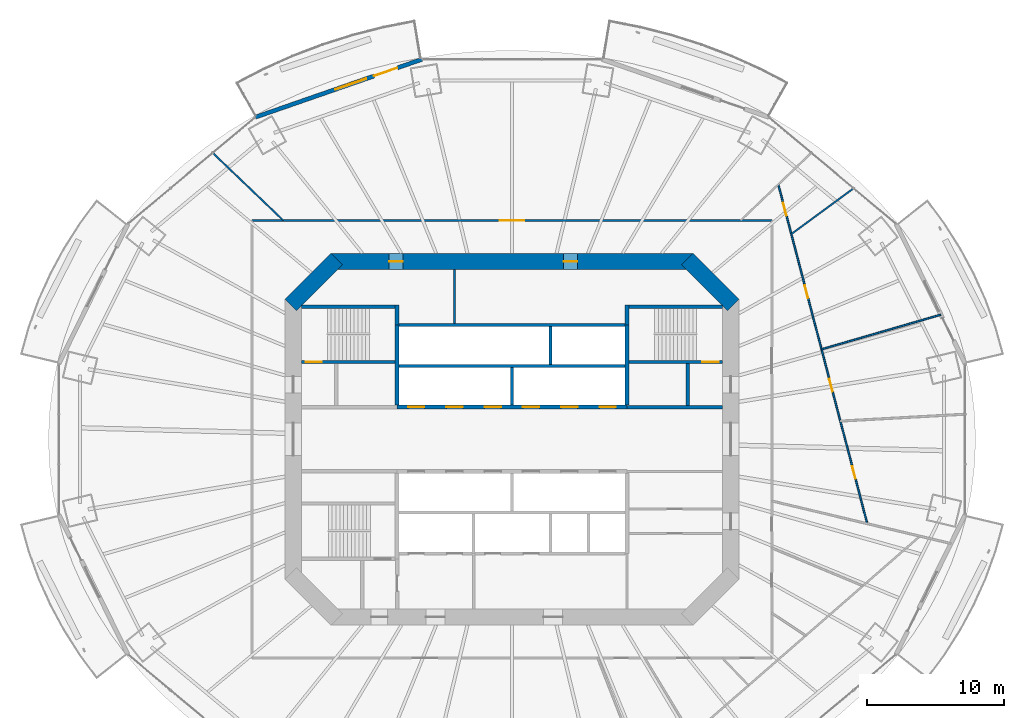
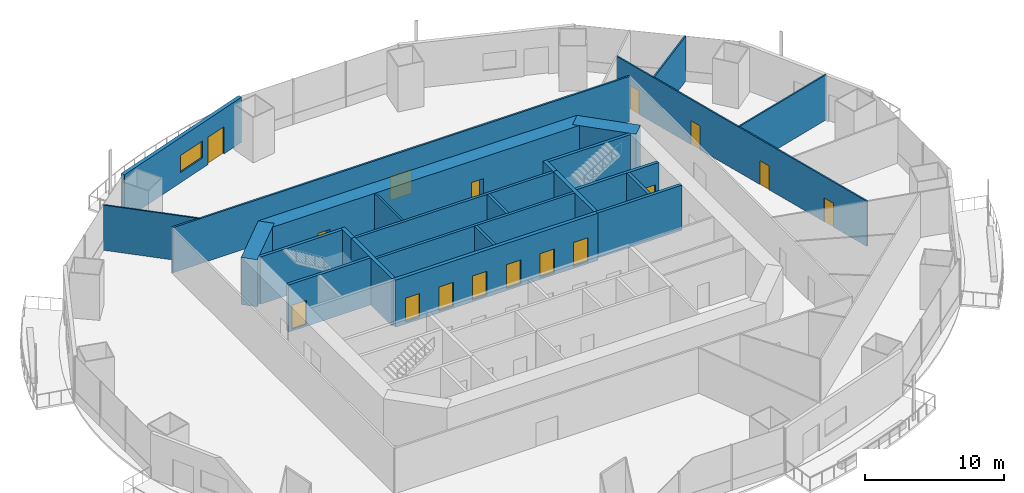
# One storey, part 15 of 21: 25 walls, 16 doors, 1 window, 17 openings.
"""IFC4 building model written with IfcOpenShell, lengths in metres."""

import ifcopenshell
import ifcopenshell.guid

model = None  # the IFC model being written
_history = None  # IfcOwnerHistory: only IFC2X3 demands one
_inside = {}  # id of a spatial element -> (the spatial element, [elements in it])
_under = {}  # id of a project, library or spatial element -> (it, [spatial elements below it])
_declared = {}  # id of a project -> (the project, [libraries it declares])
_typed = {}  # id of a type object -> (the type object, [elements of that type])
_made_of = {}  # id of a material, layer set ... -> (it, [elements and type objects made of it])


def new_model(schema):
    """Start an empty IFC model of exactly this schema.

    Asked for "IFC4X3", IfcOpenShell would pick the latest addendum, in which some entities
    have other attributes; the version numbers below select the first issue.
    IFC2X3 requires an IfcOwnerHistory on every rooted entity: one is made here for all.
    """
    global model, _history
    if schema == "IFC4X3":
        model = ifcopenshell.file(schema_version=(4, 3, 0, 0))
    else:
        model = ifcopenshell.file(schema=schema)
    _inside.clear()
    _under.clear()
    _declared.clear()
    _typed.clear()
    _made_of.clear()
    _history = None
    if model.schema == "IFC2X3":
        org = make("IfcOrganization", Name="unknown")
        user = make(
            "IfcPersonAndOrganization",
            ThePerson=make("IfcPerson", FamilyName="unknown"),
            TheOrganization=org,
        )
        app = make(
            "IfcApplication",
            ApplicationDeveloper=org,
            Version="unknown",
            ApplicationFullName="unknown",
            ApplicationIdentifier="unknown",
        )
        _history = make(
            "IfcOwnerHistory",
            OwningUser=user,
            OwningApplication=app,
            ChangeAction="ADDED",
            CreationDate=0,
        )
    return model


def make(cls, **values):
    """One entity of the class cls with the attributes given. An attribute that is None is left unset."""
    return model.create_entity(
        cls, **{name: value for name, value in values.items() if value is not None}
    )


def rooted(cls, **values):
    """An entity with a GlobalId (a new one), such as an element, a storey or a relation."""
    return make(cls, GlobalId=ifcopenshell.guid.new(), OwnerHistory=_history, **values)


def si_unit(unit_type, name, prefix=None):
    """IfcSIUnit, for example si_unit("LENGTHUNIT", "METRE", prefix="MILLI")."""
    return make("IfcSIUnit", UnitType=unit_type, Prefix=prefix, Name=name)


def assignment(units):
    """IfcUnitAssignment: the units of a project."""
    return None if units is None else make("IfcUnitAssignment", Units=units)


def point(xyz):
    """IfcCartesianPoint."""
    return None if xyz is None else make("IfcCartesianPoint", Coordinates=xyz)


def direction(xyz):
    """IfcDirection."""
    return None if xyz is None else make("IfcDirection", DirectionRatios=xyz)


def frame(location, z_axis=None, x_axis=None):
    """IfcAxis2Placement3D, a coordinate frame: its origin and axes. An axis left out is left unset."""
    return make(
        "IfcAxis2Placement3D",
        Location=point(location),
        Axis=direction(z_axis),
        RefDirection=direction(x_axis),
    )


def frame_2d(location, x_axis=None):
    """IfcAxis2Placement2D, a coordinate frame in the plane: its origin and x axis."""
    return make(
        "IfcAxis2Placement2D", Location=point(location), RefDirection=direction(x_axis)
    )


def origin():
    """The frame at (0, 0, 0) with its axes left unset."""
    return frame((0.0, 0.0, 0.0))


def place(relative_to, where):
    """IfcLocalPlacement: puts the frame where relative to a parent placement (None: the world)."""
    return make(
        "IfcLocalPlacement", PlacementRelTo=relative_to, RelativePlacement=where
    )


def context(
    kind, dimensions, precision=None, world=None, true_north=None, identifier=None
):
    """IfcGeometricRepresentationContext, for example the 3D "Model" context."""
    return make(
        "IfcGeometricRepresentationContext",
        ContextIdentifier=identifier,
        ContextType=kind,
        CoordinateSpaceDimension=dimensions,
        Precision=precision,
        WorldCoordinateSystem=world,
        TrueNorth=true_north,
    )


def subcontext(parent, identifier, kind, view, scale=None):
    """IfcGeometricRepresentationSubContext, for example "Body" below "Model"."""
    return make(
        "IfcGeometricRepresentationSubContext",
        ContextIdentifier=identifier,
        ContextType=kind,
        ParentContext=parent,
        TargetScale=scale,
        TargetView=view,
    )


def project(units=None, contexts=None):
    """IfcProject with its units and contexts."""
    return rooted(
        "IfcProject",
        Name="project",
        RepresentationContexts=contexts,
        UnitsInContext=assignment(units),
    )


def spatial(cls, under=None, at=None, **own):
    """A site, building, storey or space (cls), placed at a placement, below another one or the project."""
    s = rooted(cls, ObjectPlacement=at, **own)
    if under is not None:
        _under.setdefault(under.id(), (under, []))[1].append(s)
    return s


def profile(cls, at=None, kind="AREA", **sizes):
    """A parametric profile (cls). Its sizes go by their IFC names, for example OverallWidth=200.0."""
    return make(cls, ProfileType=kind, Position=at, **sizes)


def rectangle(**sizes):
    """IfcRectangleProfileDef."""
    return profile("IfcRectangleProfileDef", **sizes)


def extrude(swept, where, along, depth):
    """IfcExtrudedAreaSolid: the profile swept, set in the frame where, extruded along a direction by depth."""
    return make(
        "IfcExtrudedAreaSolid",
        SweptArea=swept,
        Position=where,
        ExtrudedDirection=direction(along),
        Depth=depth,
    )


def shape(context_of_items, identifier, shape_type, items):
    """IfcShapeRepresentation: the items that make up one representation, for example the "Body"."""
    return make(
        "IfcShapeRepresentation",
        ContextOfItems=context_of_items,
        RepresentationIdentifier=identifier,
        RepresentationType=shape_type,
        Items=items,
    )


def material(Name=None, Category=None):
    """IfcMaterial."""
    return make("IfcMaterial", Name=Name, Category=Category)


def layer(
    of_material, thickness, ventilated=None, Name=None, Category=None, Priority=None
):
    """IfcMaterialLayer: one layer of a wall or slab, of a material (None: an air gap)."""
    return make(
        "IfcMaterialLayer",
        Material=of_material,
        LayerThickness=thickness,
        IsVentilated=ventilated,
        Name=Name,
        Category=Category,
        Priority=Priority,
    )


def layer_set(layers, Name=None):
    """IfcMaterialLayerSet."""
    return make("IfcMaterialLayerSet", MaterialLayers=layers, LayerSetName=Name)


def made_of(thing, what):
    """Note that an element or type object is made of a material, layer set ...; save() writes the relation."""
    if what is not None:
        _made_of.setdefault(what.id(), (what, []))[1].append(thing)
    return thing


def type_object(cls, material=None, **own):
    """A type object (cls), such as IfcWallType, which elements share."""
    return made_of(rooted(cls, **own), material)


def element(
    cls,
    number,
    at=None,
    inside=None,
    cuts=None,
    type_object=None,
    material=None,
    context=None,
    identifier="Body",
    shape_type=None,
    held_by="IfcProductDefinitionShape",
    body=None,
    shapes=None,
    **own,
):
    """One element of the class cls, such as IfcWall. Its Tag is "e" and its number.

    at: its placement. inside: the storey or other place that contains it. cuts: it is an
    opening in that element (IfcRelVoidsElement). A single representation is given by context,
    identifier, shape_type and body (its items); several are given by shapes. held_by: the class
    of the entity that holds the representations. save() writes the other relations.
    """
    e = rooted(cls, Tag="e%d" % number, ObjectPlacement=at, **own)
    if body is not None:
        shapes = [shape(context, identifier, shape_type, body)]
    if shapes is not None:
        e.Representation = make(held_by, Representations=shapes)
    if inside is not None:
        _inside.setdefault(inside.id(), (inside, []))[1].append(e)
    if cuts is not None:
        rooted(
            "IfcRelVoidsElement", RelatingBuildingElement=cuts, RelatedOpeningElement=e
        )
    if type_object is not None:
        _typed.setdefault(type_object.id(), (type_object, []))[1].append(e)
    return made_of(e, material)


def fill(opening, filler):
    """IfcRelFillsElement: the door or window that sits in an opening."""
    return rooted(
        "IfcRelFillsElement",
        RelatingOpeningElement=opening,
        RelatedBuildingElement=filler,
    )


def aggregate(whole, parts):
    """IfcRelAggregates: a whole, such as a stair, and the parts it consists of."""
    return rooted("IfcRelAggregates", RelatingObject=whole, RelatedObjects=parts)


def save(model, path):
    """Write the relations noted so far, then the file.

    IfcRelAggregates (storeys below a building ...), IfcRelContainedInSpatialStructure (elements
    in a storey), IfcRelDefinesByType, IfcRelAssociatesMaterial and IfcRelDeclares: one each for
    every whole, place, type object, material and project.
    """
    for whole, parts in _under.values():
        aggregate(whole, parts)
    for where, things in _inside.values():
        rooted(
            "IfcRelContainedInSpatialStructure",
            RelatedElements=things,
            RelatingStructure=where,
        )
    for kind, things in _typed.values():
        rooted("IfcRelDefinesByType", RelatedObjects=things, RelatingType=kind)
    for what, things in _made_of.values():
        rooted("IfcRelAssociatesMaterial", RelatedObjects=things, RelatingMaterial=what)
    for by, libraries in _declared.values():
        rooted("IfcRelDeclares", RelatingContext=by, RelatedDefinitions=libraries)
    model.write(path)


model = new_model("IFC4")

# Units and contexts
model_context = context("Model", 3, precision=1e-05, world=origin(), true_north=direction((0.0, 1.0)))
body_context = subcontext(model_context, "Body", "Model", "MODEL_VIEW")
ifc_project = project(units=[si_unit("LENGTHUNIT", "METRE"), si_unit("AREAUNIT", "SQUARE_METRE"), si_unit("VOLUMEUNIT", "CUBIC_METRE"), si_unit("PLANEANGLEUNIT", "RADIAN"), si_unit("MASSUNIT", "GRAM", prefix="KILO")], contexts=[model_context])

# Site, building, storey
site_placement = place(None, origin())
site = spatial("IfcSite", under=ifc_project, at=site_placement, CompositionType="ELEMENT")
building_placement = place(site_placement, origin())
building = spatial("IfcBuilding", under=site, at=building_placement, Name="Marenthal Gate Tower", CompositionType="ELEMENT")
storey_placement = place(building_placement, frame((0.0, 0.0, 120.14990234375)))
storey = spatial("IfcBuildingStorey", under=building, at=storey_placement, Name="L25", CompositionType="ELEMENT", Elevation=120.14990234375)

# Wall
ifc_material_1 = material(Name="Concrete 60 MPa", Category="concrete")
ifc_layer_1 = layer(ifc_material_1, 1.199951171875)
ifc_layer_set_1 = layer_set([ifc_layer_1], Name="Core shear wall 1200")
wall_type_1 = type_object("IfcWallType", Name="Core shear wall 1200", PredefinedType="SHEAR", material=ifc_layer_set_1)
wall_1_placement = place(storey_placement, frame((16.17578125, 9.82421875, -0.179931640625), z_axis=(0.0, 0.0, 1.0), x_axis=(-0.707106781187, 0.707106781187, 0.0)))
element("IfcWall", 1, at=wall_1_placement, inside=storey, type_object=wall_type_1, Name="Core wall 03", PredefinedType="SHEAR", context=body_context, shape_type="SweptSolid", body=[
    extrude(rectangle(XDim=4.73974609375, YDim=1.199951171875, at=frame_2d((2.369873046875, 0.0))), origin(), (0.0, 0.0, 1.0), 4.150146484375),
])

# Wall, openings, doors
wall_2_placement = place(storey_placement, frame((13.24853515625, 13.0, -0.179931640625), z_axis=(0.0, 0.0, 1.0), x_axis=(-1.0, 0.0, 0.0)))
wall_2 = element("IfcWall", 2, at=wall_2_placement, inside=storey, type_object=wall_type_1, Name="Core wall 04", PredefinedType="SHEAR", context=body_context, shape_type="SweptSolid", body=[
    extrude(rectangle(XDim=26.4970703125, YDim=1.199951171875, at=frame_2d((13.24853515625, 0.0))), origin(), (0.0, 0.0, 1.0), 4.150146484375),
])
opening_1_placement = place(wall_2_placement, frame((21.224609375, 0.0, 0.179931640625)))
opening_1 = element("IfcOpeningElement", 3, at=opening_1_placement, cuts=wall_2, Name="Opening D005.01", PredefinedType="OPENING", context=body_context, shape_type="SweptSolid", body=[
    extrude(rectangle(XDim=1.0, YDim=2.10009765625, at=frame_2d((0.5, 1.050048828125))), frame((0.0, 0.60986328125, 0.0), z_axis=(0.0, -1.0, 0.0), x_axis=(1.0, 0.0, 0.0)), (0.0, 0.0, 1.0), 1.219970703125),
])
opening_2_placement = place(wall_2_placement, frame((8.472412109375, 0.0, 0.179931640625)))
opening_2 = element("IfcOpeningElement", 4, at=opening_2_placement, cuts=wall_2, Name="Opening D005.02", PredefinedType="OPENING", context=body_context, shape_type="SweptSolid", body=[
    extrude(rectangle(XDim=1.0, YDim=2.10009765625, at=frame_2d((0.5, 1.050048828125))), frame((0.0, 0.60986328125, 0.0), z_axis=(0.0, -1.0, 0.0), x_axis=(1.0, 0.0, 0.0)), (0.0, 0.0, 1.0), 1.219970703125),
])
ifc_material_2 = material(Name="Steel fire door", Category="steel")
door_type_1 = type_object("IfcDoorType", Name="Fire door FD 45 1000 x 2100", OperationType="NOTDEFINED", PredefinedType="DOOR", material=ifc_material_2)
door_1_placement = place(opening_1_placement, origin())
door_1 = element("IfcDoor", 5, at=door_1_placement, inside=storey, type_object=door_type_1, Name="Door D005.01", OperationType="SINGLE_SWING_RIGHT", OverallHeight=2.10009765625, OverallWidth=1.0, PredefinedType="DOOR", context=body_context, shape_type="SweptSolid", body=[
    extrude(rectangle(XDim=1.0, YDim=2.10009765625, at=frame_2d((0.5, 1.050048828125))), frame((0.0, 0.02490234375, 0.0), z_axis=(0.0, -1.0, 0.0), x_axis=(1.0, 0.0, 0.0)), (0.0, 0.0, 1.0), 0.050048828125),
])
fill(opening_1, door_1)
door_2_placement = place(opening_2_placement, origin())
door_2 = element("IfcDoor", 6, at=door_2_placement, inside=storey, type_object=door_type_1, Name="Door D005.02", OperationType="SINGLE_SWING_RIGHT", OverallHeight=2.10009765625, OverallWidth=1.0, PredefinedType="DOOR", context=body_context, shape_type="SweptSolid", body=[
    extrude(rectangle(XDim=1.0, YDim=2.10009765625, at=frame_2d((0.5, 1.050048828125))), frame((0.0, 0.02490234375, 0.0), z_axis=(0.0, -1.0, 0.0), x_axis=(1.0, 0.0, 0.0)), (0.0, 0.0, 1.0), 0.050048828125),
])
fill(opening_2, door_2)

# Wall
wall_3_placement = place(storey_placement, frame((-12.82421875, 13.17578125, -0.179931640625), z_axis=(0.0, 0.0, 1.0), x_axis=(-0.707106781187, -0.707106781187, 0.0)))
element("IfcWall", 7, at=wall_3_placement, inside=storey, type_object=wall_type_1, Name="Core wall 05", PredefinedType="SHEAR", context=body_context, shape_type="SweptSolid", body=[
    extrude(rectangle(XDim=4.73974609375, YDim=1.199951171875, at=frame_2d((2.369873046875, 0.0))), origin(), (0.0, 0.0, 1.0), 4.150146484375),
])

# Wall, openings, doors
ifc_material_3 = material(Name="Concrete 50 MPa", Category="concrete")
ifc_layer_2 = layer(ifc_material_3, 0.300048828125)
ifc_layer_set_2 = layer_set([ifc_layer_2], Name="Hoistway shear wall 300")
wall_type_2 = type_object("IfcWallType", Name="Hoistway shear wall 300", PredefinedType="SHEAR", material=ifc_layer_set_2)
wall_4_placement = place(storey_placement, frame((-8.39990234375, 2.35009765625, -0.179931640625), z_axis=(0.0, 0.0, 1.0), x_axis=(1.0, 0.0, 0.0)))
wall_4 = element("IfcWall", 8, at=wall_4_placement, inside=storey, type_object=wall_type_2, Name="Hoistway wall 20", PredefinedType="SHEAR", context=body_context, shape_type="SweptSolid", body=[
    extrude(rectangle(XDim=16.7998046875, YDim=0.300048828125, at=frame_2d((8.39990234375, 0.0))), origin(), (0.0, 0.0, 1.0), 4.150146484375),
])
opening_3_placement = place(wall_4_placement, frame((0.800048828125, 0.0, 0.179931640625)))
opening_3 = element("IfcOpeningElement", 9, at=opening_3_placement, cuts=wall_4, Name="Opening LD-LP1", PredefinedType="OPENING", context=body_context, shape_type="SweptSolid", body=[
    extrude(rectangle(XDim=1.199951171875, YDim=2.10009765625, at=frame_2d((0.60009765625, 1.050048828125))), frame((0.0, 0.16015625, 0.0), z_axis=(0.0, -1.0, 0.0), x_axis=(1.0, 0.0, 0.0)), (0.0, 0.0, 1.0), 0.320068359375),
])
opening_4_placement = place(wall_4_placement, frame((3.60009765625, 0.0, 0.179931640625)))
opening_4 = element("IfcOpeningElement", 10, at=opening_4_placement, cuts=wall_4, Name="Opening LD-LP2", PredefinedType="OPENING", context=body_context, shape_type="SweptSolid", body=[
    extrude(rectangle(XDim=1.199951171875, YDim=2.10009765625, at=frame_2d((0.60009765625, 1.050048828125))), frame((0.0, 0.16015625, 0.0), z_axis=(0.0, -1.0, 0.0), x_axis=(1.0, 0.0, 0.0)), (0.0, 0.0, 1.0), 0.320068359375),
])
opening_5_placement = place(wall_4_placement, frame((6.39990234375, 0.0, 0.179931640625)))
opening_5 = element("IfcOpeningElement", 11, at=opening_5_placement, cuts=wall_4, Name="Opening LD-LP3", PredefinedType="OPENING", context=body_context, shape_type="SweptSolid", body=[
    extrude(rectangle(XDim=1.199951171875, YDim=2.10009765625, at=frame_2d((0.60009765625, 1.050048828125))), frame((0.0, 0.16015625, 0.0), z_axis=(0.0, -1.0, 0.0), x_axis=(1.0, 0.0, 0.0)), (0.0, 0.0, 1.0), 0.320068359375),
])
opening_6_placement = place(wall_4_placement, frame((9.199951171875, 0.0, 0.179931640625)))
opening_6 = element("IfcOpeningElement", 12, at=opening_6_placement, cuts=wall_4, Name="Opening LD-LP4", PredefinedType="OPENING", context=body_context, shape_type="SweptSolid", body=[
    extrude(rectangle(XDim=1.199951171875, YDim=2.10009765625, at=frame_2d((0.60009765625, 1.050048828125))), frame((0.0, 0.16015625, 0.0), z_axis=(0.0, -1.0, 0.0), x_axis=(1.0, 0.0, 0.0)), (0.0, 0.0, 1.0), 0.320068359375),
])
opening_7_placement = place(wall_4_placement, frame((12.0, 0.0, 0.179931640625)))
opening_7 = element("IfcOpeningElement", 13, at=opening_7_placement, cuts=wall_4, Name="Opening LD-LP5", PredefinedType="OPENING", context=body_context, shape_type="SweptSolid", body=[
    extrude(rectangle(XDim=1.199951171875, YDim=2.10009765625, at=frame_2d((0.60009765625, 1.050048828125))), frame((0.0, 0.16015625, 0.0), z_axis=(0.0, -1.0, 0.0), x_axis=(1.0, 0.0, 0.0)), (0.0, 0.0, 1.0), 0.320068359375),
])
opening_8_placement = place(wall_4_placement, frame((14.800048828125, 0.0, 0.179931640625)))
opening_8 = element("IfcOpeningElement", 14, at=opening_8_placement, cuts=wall_4, Name="Opening LD-LP6", PredefinedType="OPENING", context=body_context, shape_type="SweptSolid", body=[
    extrude(rectangle(XDim=1.199951171875, YDim=2.10009765625, at=frame_2d((0.60009765625, 1.050048828125))), frame((0.0, 0.16015625, 0.0), z_axis=(0.0, -1.0, 0.0), x_axis=(1.0, 0.0, 0.0)), (0.0, 0.0, 1.0), 0.320068359375),
])
ifc_material_4 = material(Name="Stainless steel sliding door", Category="steel")
door_type_2 = type_object("IfcDoorType", Name="Lift landing door FD 90 1200 x 2100", OperationType="DOUBLE_DOOR_SLIDING", PredefinedType="DOOR", material=ifc_material_4)
door_3_placement = place(opening_3_placement, origin())
door_3 = element("IfcDoor", 15, at=door_3_placement, inside=storey, type_object=door_type_2, Name="Lift landing door LP1", OperationType="DOUBLE_DOOR_SLIDING", OverallHeight=2.10009765625, OverallWidth=1.199951171875, PredefinedType="DOOR", context=body_context, shape_type="SweptSolid", body=[
    extrude(rectangle(XDim=1.199951171875, YDim=2.10009765625, at=frame_2d((0.60009765625, 1.050048828125))), frame((0.0, 0.02490234375, 0.0), z_axis=(0.0, -1.0, 0.0), x_axis=(1.0, 0.0, 0.0)), (0.0, 0.0, 1.0), 0.050048828125),
])
fill(opening_3, door_3)
door_4_placement = place(opening_4_placement, origin())
door_4 = element("IfcDoor", 16, at=door_4_placement, inside=storey, type_object=door_type_2, Name="Lift landing door LP2", OperationType="DOUBLE_DOOR_SLIDING", OverallHeight=2.10009765625, OverallWidth=1.199951171875, PredefinedType="DOOR", context=body_context, shape_type="SweptSolid", body=[
    extrude(rectangle(XDim=1.199951171875, YDim=2.10009765625, at=frame_2d((0.60009765625, 1.050048828125))), frame((0.0, 0.02490234375, 0.0), z_axis=(0.0, -1.0, 0.0), x_axis=(1.0, 0.0, 0.0)), (0.0, 0.0, 1.0), 0.050048828125),
])
fill(opening_4, door_4)
door_5_placement = place(opening_5_placement, origin())
door_5 = element("IfcDoor", 17, at=door_5_placement, inside=storey, type_object=door_type_2, Name="Lift landing door LP3", OperationType="DOUBLE_DOOR_SLIDING", OverallHeight=2.10009765625, OverallWidth=1.199951171875, PredefinedType="DOOR", context=body_context, shape_type="SweptSolid", body=[
    extrude(rectangle(XDim=1.199951171875, YDim=2.10009765625, at=frame_2d((0.60009765625, 1.050048828125))), frame((0.0, 0.02490234375, 0.0), z_axis=(0.0, -1.0, 0.0), x_axis=(1.0, 0.0, 0.0)), (0.0, 0.0, 1.0), 0.050048828125),
])
fill(opening_5, door_5)
door_6_placement = place(opening_6_placement, origin())
door_6 = element("IfcDoor", 18, at=door_6_placement, inside=storey, type_object=door_type_2, Name="Lift landing door LP4", OperationType="DOUBLE_DOOR_SLIDING", OverallHeight=2.10009765625, OverallWidth=1.199951171875, PredefinedType="DOOR", context=body_context, shape_type="SweptSolid", body=[
    extrude(rectangle(XDim=1.199951171875, YDim=2.10009765625, at=frame_2d((0.60009765625, 1.050048828125))), frame((0.0, 0.02490234375, 0.0), z_axis=(0.0, -1.0, 0.0), x_axis=(1.0, 0.0, 0.0)), (0.0, 0.0, 1.0), 0.050048828125),
])
fill(opening_6, door_6)
door_7_placement = place(opening_7_placement, origin())
door_7 = element("IfcDoor", 19, at=door_7_placement, inside=storey, type_object=door_type_2, Name="Lift landing door LP5", OperationType="DOUBLE_DOOR_SLIDING", OverallHeight=2.10009765625, OverallWidth=1.199951171875, PredefinedType="DOOR", context=body_context, shape_type="SweptSolid", body=[
    extrude(rectangle(XDim=1.199951171875, YDim=2.10009765625, at=frame_2d((0.60009765625, 1.050048828125))), frame((0.0, 0.02490234375, 0.0), z_axis=(0.0, -1.0, 0.0), x_axis=(1.0, 0.0, 0.0)), (0.0, 0.0, 1.0), 0.050048828125),
])
fill(opening_7, door_7)
door_8_placement = place(opening_8_placement, origin())
door_8 = element("IfcDoor", 20, at=door_8_placement, inside=storey, type_object=door_type_2, Name="Lift landing door LP6", OperationType="DOUBLE_DOOR_SLIDING", OverallHeight=2.10009765625, OverallWidth=1.199951171875, PredefinedType="DOOR", context=body_context, shape_type="SweptSolid", body=[
    extrude(rectangle(XDim=1.199951171875, YDim=2.10009765625, at=frame_2d((0.60009765625, 1.050048828125))), frame((0.0, 0.02490234375, 0.0), z_axis=(0.0, -1.0, 0.0), x_axis=(1.0, 0.0, 0.0)), (0.0, 0.0, 1.0), 0.050048828125),
])
fill(opening_8, door_8)

# Walls
for number, where, z_axis, x_axis, name in (
    (21, (-8.39990234375, 2.5, -0.179931640625), (0.0, 0.0, 1.0), (0.0, 1.0, 0.0), "Hoistway wall 32"),
    (22, (8.39990234375, 2.5, -0.179931640625), (0.0, 0.0, 1.0), (0.0, 1.0, 0.0), "Hoistway wall 44"),
):
    element("IfcWall", number, at=place(storey_placement, frame(where, z_axis=z_axis, x_axis=x_axis)), inside=storey, type_object=wall_type_2, Name=name, PredefinedType="SHEAR", context=body_context, shape_type="SweptSolid", body=[
        extrude(rectangle(XDim=5.85009765625, YDim=0.300048828125, at=frame_2d((2.925048828125, 0.0))), origin(), (0.0, 0.0, 1.0), 4.150146484375),
    ])
ifc_material_5 = material(Name="Concrete 40 MPa", Category="concrete")
ifc_layer_3 = layer(ifc_material_5, 0.219970703125)
ifc_layer_set_3 = layer_set([ifc_layer_3], Name="Hoistway wall 220")
wall_type_3 = type_object("IfcWallType", Name="Hoistway wall 220", PredefinedType="STANDARD", material=ifc_layer_set_3)
for number, where, z_axis, x_axis, name in (
    (23, (-8.25, 5.35009765625, 0.0), (0.0, 0.0, 1.0), (1.0, 0.0, 0.0), "Hoistway wall 22"),
    (24, (-8.25, 8.35009765625, 0.0), (0.0, 0.0, 1.0), (1.0, 0.0, 0.0), "Hoistway wall 25"),
):
    element("IfcWall", number, at=place(storey_placement, frame(where, z_axis=z_axis, x_axis=x_axis)), inside=storey, type_object=wall_type_3, Name=name, PredefinedType="STANDARD", context=body_context, shape_type="SweptSolid", body=[
        extrude(rectangle(XDim=16.5, YDim=0.219970703125, at=frame_2d((8.25, 0.0))), origin(), (0.0, 0.0, 1.0), 3.97021484375),
    ])
wall_5_placement = place(storey_placement, frame((0.0, 2.5, 0.0), z_axis=(0.0, 0.0, 1.0), x_axis=(0.0, 1.0, 0.0)))
element("IfcWall", 25, at=wall_5_placement, inside=storey, type_object=wall_type_3, Name="Hoistway wall 38", PredefinedType="STANDARD", context=body_context, shape_type="SweptSolid", body=[
    extrude(rectangle(XDim=2.739990234375, YDim=0.219970703125, at=frame_2d((1.3701171875, 0.0))), origin(), (0.0, 0.0, 1.0), 3.97021484375),
])
wall_6_placement = place(storey_placement, frame((2.800048828125, 5.4599609375, 0.0), z_axis=(0.0, 0.0, 1.0), x_axis=(0.0, 1.0, 0.0)))
element("IfcWall", 26, at=wall_6_placement, inside=storey, type_object=wall_type_3, Name="Hoistway wall 40", PredefinedType="STANDARD", context=body_context, shape_type="SweptSolid", body=[
    extrude(rectangle(XDim=2.780029296875, YDim=0.219970703125, at=frame_2d((1.39013671875, 0.0))), origin(), (0.0, 0.0, 1.0), 3.97021484375),
])
ifc_material_6 = material(Name="Gypsum board on steel studs", Category="steel")
ifc_layer_4 = layer(ifc_material_6, 0.1201171875)
ifc_layer_set_4 = layer_set([ifc_layer_4], Name="Partition 120")
wall_type_4 = type_object("IfcWallType", Name="Partition 120", PredefinedType="PARTITIONING", material=ifc_layer_set_4)
wall_7_placement = place(storey_placement, frame((-16.722900390625, 16.0, 0.0), z_axis=(0.0, 0.0, 1.0), x_axis=(-0.722571333341, 0.691296367872, 0.0)))
element("IfcWall", 27, at=wall_7_placement, inside=storey, type_object=wall_type_4, Name="Partition wall 49", PredefinedType="PARTITIONING", context=body_context, shape_type="SweptSolid", body=[
    extrude(rectangle(XDim=7.142822265625, YDim=0.1201171875, at=frame_2d((3.5712890625, 0.0))), origin(), (0.0, 0.0, 1.0), 3.97021484375),
])
wall_8_placement = place(storey_placement, frame((24.975830078125, 18.345947265625, 0.0), z_axis=(0.0, 0.0, 1.0), x_axis=(-0.805952536967, -0.591980158583, 0.0)))
element("IfcWall", 28, at=wall_8_placement, inside=storey, type_object=wall_type_4, Name="Partition wall 59", PredefinedType="PARTITIONING", context=body_context, shape_type="SweptSolid", body=[
    extrude(rectangle(XDim=5.646728515625, YDim=0.1201171875, at=frame_2d((2.8232421875, 0.0))), origin(), (0.0, 0.0, 1.0), 3.97021484375),
])

# Wall, openings, doors
wall_9_placement = place(storey_placement, frame((25.97900390625, -6.173095703125, 0.0), z_axis=(0.0, 0.0, 1.0), x_axis=(-0.253695602942, 0.967284105652, 0.0)))
wall_9 = element("IfcWall", 29, at=wall_9_placement, inside=storey, type_object=wall_type_4, Name="Partition wall 61", PredefinedType="PARTITIONING", context=body_context, shape_type="SweptSolid", body=[
    extrude(rectangle(XDim=25.643310546875, YDim=0.1201171875, at=frame_2d((12.82177734375, 0.0))), origin(), (0.0, 0.0, 1.0), 3.97021484375),
])
opening_9_placement = place(wall_9_placement, frame((3.402099609375, 0.0, 0.0)))
opening_9 = element("IfcOpeningElement", 30, at=opening_9_placement, cuts=wall_9, Name="Opening D016.06", PredefinedType="OPENING", context=body_context, shape_type="SweptSolid", body=[
    extrude(rectangle(XDim=0.949951171875, YDim=2.10009765625, at=frame_2d((0.47509765625, 1.050048828125))), frame((0.0, 0.070068359375, 0.0), z_axis=(0.0, -1.0, 0.0), x_axis=(1.0, 0.0, 0.0)), (0.0, 0.0, 1.0), 0.14013671875),
])
opening_10_placement = place(wall_9_placement, frame((9.991943359375, 0.0, 0.0)))
opening_10 = element("IfcOpeningElement", 31, at=opening_10_placement, cuts=wall_9, Name="Opening D016.07", PredefinedType="OPENING", context=body_context, shape_type="SweptSolid", body=[
    extrude(rectangle(XDim=0.949951171875, YDim=2.10009765625, at=frame_2d((0.47509765625, 1.050048828125))), frame((0.0, 0.070068359375, 0.0), z_axis=(0.0, -1.0, 0.0), x_axis=(1.0, 0.0, 0.0)), (0.0, 0.0, 1.0), 0.14013671875),
])
opening_11_placement = place(wall_9_placement, frame((17.06103515625, 0.0, 0.0)))
opening_11 = element("IfcOpeningElement", 32, at=opening_11_placement, cuts=wall_9, Name="Opening D016.08", PredefinedType="OPENING", context=body_context, shape_type="SweptSolid", body=[
    extrude(rectangle(XDim=0.949951171875, YDim=2.10009765625, at=frame_2d((0.47509765625, 1.050048828125))), frame((0.0, 0.070068359375, 0.0), z_axis=(0.0, -1.0, 0.0), x_axis=(1.0, 0.0, 0.0)), (0.0, 0.0, 1.0), 0.14013671875),
])
opening_12_placement = place(wall_9_placement, frame((23.29296875, 0.0, 0.0)))
opening_12 = element("IfcOpeningElement", 33, at=opening_12_placement, cuts=wall_9, Name="Opening D016.09", PredefinedType="OPENING", context=body_context, shape_type="SweptSolid", body=[
    extrude(rectangle(XDim=0.949951171875, YDim=2.10009765625, at=frame_2d((0.47509765625, 1.050048828125))), frame((0.0, 0.070068359375, 0.0), z_axis=(0.0, -1.0, 0.0), x_axis=(1.0, 0.0, 0.0)), (0.0, 0.0, 1.0), 0.14013671875),
])
ifc_material_7 = material(Name="Timber door", Category="wood")
door_type_3 = type_object("IfcDoorType", Name="Door 950 x 2100", OperationType="NOTDEFINED", PredefinedType="DOOR", material=ifc_material_7)
door_9_placement = place(opening_9_placement, frame((0.949951171875, 0.0, 0.0), z_axis=(0.0, 0.0, 1.0), x_axis=(-1.0, 0.0, 0.0)))
door_9 = element("IfcDoor", 34, at=door_9_placement, inside=storey, type_object=door_type_3, Name="Door D016.06", OperationType="SINGLE_SWING_LEFT", OverallHeight=2.10009765625, OverallWidth=0.949951171875, PredefinedType="DOOR", context=body_context, shape_type="SweptSolid", body=[
    extrude(rectangle(XDim=0.949951171875, YDim=2.10009765625, at=frame_2d((0.47509765625, 1.050048828125))), frame((0.0, 0.02490234375, 0.0), z_axis=(0.0, -1.0, 0.0), x_axis=(1.0, 0.0, 0.0)), (0.0, 0.0, 1.0), 0.050048828125),
])
fill(opening_9, door_9)
door_10_placement = place(opening_10_placement, frame((0.949951171875, 0.0, 0.0), z_axis=(0.0, 0.0, 1.0), x_axis=(-1.0, 0.0, 0.0)))
door_10 = element("IfcDoor", 35, at=door_10_placement, inside=storey, type_object=door_type_3, Name="Door D016.07", OperationType="SINGLE_SWING_LEFT", OverallHeight=2.10009765625, OverallWidth=0.949951171875, PredefinedType="DOOR", context=body_context, shape_type="SweptSolid", body=[
    extrude(rectangle(XDim=0.949951171875, YDim=2.10009765625, at=frame_2d((0.47509765625, 1.050048828125))), frame((0.0, 0.02490234375, 0.0), z_axis=(0.0, -1.0, 0.0), x_axis=(1.0, 0.0, 0.0)), (0.0, 0.0, 1.0), 0.050048828125),
])
fill(opening_10, door_10)
door_11_placement = place(opening_11_placement, frame((0.949951171875, 0.0, 0.0), z_axis=(0.0, 0.0, 1.0), x_axis=(-1.0, 0.0, 0.0)))
door_11 = element("IfcDoor", 36, at=door_11_placement, inside=storey, type_object=door_type_3, Name="Door D016.08", OperationType="SINGLE_SWING_LEFT", OverallHeight=2.10009765625, OverallWidth=0.949951171875, PredefinedType="DOOR", context=body_context, shape_type="SweptSolid", body=[
    extrude(rectangle(XDim=0.949951171875, YDim=2.10009765625, at=frame_2d((0.47509765625, 1.050048828125))), frame((0.0, 0.02490234375, 0.0), z_axis=(0.0, -1.0, 0.0), x_axis=(1.0, 0.0, 0.0)), (0.0, 0.0, 1.0), 0.050048828125),
])
fill(opening_11, door_11)
door_12_placement = place(opening_12_placement, frame((0.949951171875, 0.0, 0.0), z_axis=(0.0, 0.0, 1.0), x_axis=(-1.0, 0.0, 0.0)))
door_12 = element("IfcDoor", 37, at=door_12_placement, inside=storey, type_object=door_type_3, Name="Door D016.09", OperationType="SINGLE_SWING_LEFT", OverallHeight=2.10009765625, OverallWidth=0.949951171875, PredefinedType="DOOR", context=body_context, shape_type="SweptSolid", body=[
    extrude(rectangle(XDim=0.949951171875, YDim=2.10009765625, at=frame_2d((0.47509765625, 1.050048828125))), frame((0.0, 0.02490234375, 0.0), z_axis=(0.0, -1.0, 0.0), x_axis=(1.0, 0.0, 0.0)), (0.0, 0.0, 1.0), 0.050048828125),
])
fill(opening_12, door_12)

# Walls
wall_10_placement = place(storey_placement, frame((31.36279296875, 9.111572265625, 0.0), z_axis=(0.0, 0.0, 1.0), x_axis=(-0.960291915754, -0.278997198082, 0.0)))
element("IfcWall", 38, at=wall_10_placement, inside=storey, type_object=wall_type_4, Name="Partition wall 62", PredefinedType="PARTITIONING", context=body_context, shape_type="SweptSolid", body=[
    extrude(rectangle(XDim=9.08837890625, YDim=0.1201171875, at=frame_2d((4.544189453125, 0.0))), origin(), (0.0, 0.0, 1.0), 3.97021484375),
])
ifc_material_8 = material(Name="Gypsum board on steel studs", Category="steel")
ifc_layer_5 = layer(ifc_material_8, 0.14990234375)
ifc_layer_set_5 = layer_set([ifc_layer_5], Name="Partition 150")
wall_type_5 = type_object("IfcWallType", Name="Partition 150", PredefinedType="PARTITIONING", material=ifc_layer_set_5)
wall_11_placement = place(storey_placement, frame((-4.199951171875, 8.4599609375, 0.0), z_axis=(0.0, 0.0, 1.0), x_axis=(0.0, 1.0, 0.0)))
element("IfcWall", 39, at=wall_11_placement, inside=storey, type_object=wall_type_5, Name="Partition wall 34", PredefinedType="PARTITIONING", context=body_context, shape_type="SweptSolid", body=[
    extrude(rectangle(XDim=3.93994140625, YDim=0.14990234375, at=frame_2d((1.969970703125, 0.0))), origin(), (0.0, 0.0, 1.0), 3.97021484375),
])

# Wall, opening, door
wall_12_placement = place(storey_placement, frame((-19.0, 16.0, 0.0), z_axis=(0.0, 0.0, 1.0), x_axis=(1.0, 0.0, 0.0)))
wall_12 = element("IfcWall", 40, at=wall_12_placement, inside=storey, type_object=wall_type_5, Name="Partition wall 48", PredefinedType="PARTITIONING", context=body_context, shape_type="SweptSolid", body=[
    extrude(rectangle(XDim=38.0, YDim=0.14990234375, at=frame_2d((19.0, 0.0))), origin(), (0.0, 0.0, 1.0), 3.97021484375),
])
opening_13_placement = place(wall_12_placement, frame((18.10009765625, 0.0, 0.0)))
opening_13 = element("IfcOpeningElement", 41, at=opening_13_placement, cuts=wall_12, Name="Opening D014.01", PredefinedType="OPENING", context=body_context, shape_type="SweptSolid", body=[
    extrude(rectangle(XDim=1.800048828125, YDim=2.10009765625, at=frame_2d((0.89990234375, 1.050048828125))), frame((0.0, 0.0849609375, 0.0), z_axis=(0.0, -1.0, 0.0), x_axis=(1.0, 0.0, 0.0)), (0.0, 0.0, 1.0), 0.169921875),
])
ifc_material_9 = material(Name="Timber door", Category="wood")
door_type_4 = type_object("IfcDoorType", Name="Double door 1800 x 2100", OperationType="DOUBLE_DOOR_SINGLE_SWING", PredefinedType="DOOR", material=ifc_material_9)
door_13_placement = place(opening_13_placement, origin())
door_13 = element("IfcDoor", 42, at=door_13_placement, inside=storey, type_object=door_type_4, Name="Door D014.01", OperationType="DOUBLE_DOOR_SINGLE_SWING", OverallHeight=2.10009765625, OverallWidth=1.800048828125, PredefinedType="DOOR", context=body_context, shape_type="SweptSolid", body=[
    extrude(rectangle(XDim=1.800048828125, YDim=2.10009765625, at=frame_2d((0.89990234375, 1.050048828125))), frame((0.0, 0.02490234375, 0.0), z_axis=(0.0, -1.0, 0.0), x_axis=(1.0, 0.0, 0.0)), (0.0, 0.0, 1.0), 0.050048828125),
])
fill(opening_13, door_13)

# Walls
ifc_material_10 = material(Name="Concrete 40 MPa", Category="concrete")
ifc_layer_6 = layer(ifc_material_10, 0.25)
ifc_layer_set_6 = layer_set([ifc_layer_6], Name="Stair enclosure wall 250")
wall_type_6 = type_object("IfcWallType", Name="Stair enclosure wall 250", PredefinedType="STANDARD", material=ifc_layer_set_6)
wall_13_placement = place(storey_placement, frame((8.39990234375, 2.35009765625, 0.0), z_axis=(0.0, 0.0, 1.0), x_axis=(1.0, 0.0, 0.0)))
element("IfcWall", 43, at=wall_13_placement, inside=storey, type_object=wall_type_6, Name="Stair wall 21", PredefinedType="STANDARD", context=body_context, shape_type="SweptSolid", body=[
    extrude(rectangle(XDim=7.0, YDim=0.25, at=frame_2d((3.5, 0.0))), origin(), (0.0, 0.0, 1.0), 3.97021484375),
])
wall_14_placement = place(storey_placement, frame((12.85009765625, 2.47509765625, 0.0), z_axis=(0.0, 0.0, 1.0), x_axis=(0.0, 1.0, 0.0)))
element("IfcWall", 44, at=wall_14_placement, inside=storey, type_object=wall_type_6, Name="Stair wall 46", PredefinedType="STANDARD", context=body_context, shape_type="SweptSolid", body=[
    extrude(rectangle(XDim=3.0498046875, YDim=0.25, at=frame_2d((1.52490234375, 0.0))), origin(), (0.0, 0.0, 1.0), 3.97021484375),
])

# Wall, opening, door
ifc_material_11 = material(Name="Concrete 50 MPa", Category="concrete")
ifc_layer_7 = layer(ifc_material_11, 0.25)
ifc_layer_set_7 = layer_set([ifc_layer_7], Name="Stair shear wall 250")
wall_type_7 = type_object("IfcWallType", Name="Stair shear wall 250", PredefinedType="SHEAR", material=ifc_layer_set_7)
wall_15_placement = place(storey_placement, frame((-15.39990234375, 5.64990234375, -0.179931640625), z_axis=(0.0, 0.0, 1.0), x_axis=(1.0, 0.0, 0.0)))
wall_15 = element("IfcWall", 45, at=wall_15_placement, inside=storey, type_object=wall_type_7, Name="Stair wall 23", PredefinedType="SHEAR", context=body_context, shape_type="SweptSolid", body=[
    extrude(rectangle(XDim=6.849853515625, YDim=0.25, at=frame_2d((3.4248046875, 0.0))), origin(), (0.0, 0.0, 1.0), 4.150146484375),
])
opening_14_placement = place(wall_15_placement, frame((0.300048828125, 0.0, 0.179931640625)))
opening_14 = element("IfcOpeningElement", 46, at=opening_14_placement, cuts=wall_15, Name="Opening D001.01", PredefinedType="OPENING", context=body_context, shape_type="SweptSolid", body=[
    extrude(rectangle(XDim=1.199951171875, YDim=2.10009765625, at=frame_2d((0.60009765625, 1.050048828125))), frame((0.0, 0.135009765625, 0.0), z_axis=(0.0, -1.0, 0.0), x_axis=(1.0, 0.0, 0.0)), (0.0, 0.0, 1.0), 0.27001953125),
])
ifc_material_12 = material(Name="Steel fire door", Category="steel")
door_type_5 = type_object("IfcDoorType", Name="Fire door FD 90 1200 x 2100", OperationType="NOTDEFINED", PredefinedType="DOOR", material=ifc_material_12)
door_14_placement = place(opening_14_placement, origin())
door_14 = element("IfcDoor", 47, at=door_14_placement, inside=storey, type_object=door_type_5, Name="Door D001.01", OperationType="SINGLE_SWING_RIGHT", OverallHeight=2.10009765625, OverallWidth=1.199951171875, PredefinedType="DOOR", context=body_context, shape_type="SweptSolid", body=[
    extrude(rectangle(XDim=1.199951171875, YDim=2.10009765625, at=frame_2d((0.60009765625, 1.050048828125))), frame((0.0, 0.02490234375, 0.0), z_axis=(0.0, -1.0, 0.0), x_axis=(1.0, 0.0, 0.0)), (0.0, 0.0, 1.0), 0.050048828125),
])
fill(opening_14, door_14)

wall_16_placement = place(storey_placement, frame((8.550048828125, 5.64990234375, -0.179931640625), z_axis=(0.0, 0.0, 1.0), x_axis=(1.0, 0.0, 0.0)))
wall_16 = element("IfcWall", 48, at=wall_16_placement, inside=storey, type_object=wall_type_7, Name="Stair wall 24", PredefinedType="SHEAR", context=body_context, shape_type="SweptSolid", body=[
    extrude(rectangle(XDim=6.849853515625, YDim=0.25, at=frame_2d((3.4248046875, 0.0))), origin(), (0.0, 0.0, 1.0), 4.150146484375),
])
opening_15_placement = place(wall_16_placement, frame((5.35009765625, 0.0, 0.179931640625)))
opening_15 = element("IfcOpeningElement", 49, at=opening_15_placement, cuts=wall_16, Name="Opening D001.02", PredefinedType="OPENING", context=body_context, shape_type="SweptSolid", body=[
    extrude(rectangle(XDim=1.199951171875, YDim=2.10009765625, at=frame_2d((0.60009765625, 1.050048828125))), frame((0.0, 0.135009765625, 0.0), z_axis=(0.0, -1.0, 0.0), x_axis=(1.0, 0.0, 0.0)), (0.0, 0.0, 1.0), 0.27001953125),
])
door_15_placement = place(opening_15_placement, origin())
door_15 = element("IfcDoor", 50, at=door_15_placement, inside=storey, type_object=door_type_5, Name="Door D001.02", OperationType="SINGLE_SWING_RIGHT", OverallHeight=2.10009765625, OverallWidth=1.199951171875, PredefinedType="DOOR", context=body_context, shape_type="SweptSolid", body=[
    extrude(rectangle(XDim=1.199951171875, YDim=2.10009765625, at=frame_2d((0.60009765625, 1.050048828125))), frame((0.0, 0.02490234375, 0.0), z_axis=(0.0, -1.0, 0.0), x_axis=(1.0, 0.0, 0.0)), (0.0, 0.0, 1.0), 0.050048828125),
])
fill(opening_15, door_15)

# Walls
for number, where, z_axis, x_axis, name in (
    (51, (-15.39990234375, 9.699951171875, -0.179931640625), (0.0, 0.0, 1.0), (1.0, 0.0, 0.0), "Stair wall 26"),
    (52, (8.550048828125, 9.699951171875, -0.179931640625), (0.0, 0.0, 1.0), (1.0, 0.0, 0.0), "Stair wall 27"),
):
    element("IfcWall", number, at=place(storey_placement, frame(where, z_axis=z_axis, x_axis=x_axis)), inside=storey, type_object=wall_type_7, Name=name, PredefinedType="SHEAR", context=body_context, shape_type="SweptSolid", body=[
        extrude(rectangle(XDim=6.849853515625, YDim=0.25, at=frame_2d((3.4248046875, 0.0))), origin(), (0.0, 0.0, 1.0), 4.150146484375),
    ])
ifc_material_13 = material(Name="Concrete 50 MPa", Category="concrete")
ifc_layer_8 = layer(ifc_material_13, 0.300048828125)
ifc_layer_set_8 = layer_set([ifc_layer_8], Name="Stair shear wall 300")
wall_type_8 = type_object("IfcWallType", Name="Stair shear wall 300", PredefinedType="SHEAR", material=ifc_layer_set_8)
for number, where, z_axis, x_axis, name in (
    (53, (-8.39990234375, 8.35009765625, -0.179931640625), (0.0, 0.0, 1.0), (0.0, 1.0, 0.0), "Stair wall 33"),
    (54, (8.39990234375, 8.35009765625, -0.179931640625), (0.0, 0.0, 1.0), (0.0, 1.0, 0.0), "Stair wall 45"),
):
    element("IfcWall", number, at=place(storey_placement, frame(where, z_axis=z_axis, x_axis=x_axis)), inside=storey, type_object=wall_type_8, Name=name, PredefinedType="SHEAR", context=body_context, shape_type="SweptSolid", body=[
        extrude(rectangle(XDim=1.474853515625, YDim=0.300048828125, at=frame_2d((0.7373046875, 0.0))), origin(), (0.0, 0.0, 1.0), 4.150146484375),
    ])

# Wall, openings, door, window
ifc_material_14 = material(Name="Terracotta cladding on insulated concrete-block backing", Category="masonry")
ifc_layer_9 = layer(ifc_material_14, 0.300048828125)
ifc_layer_set_9 = layer_set([ifc_layer_9], Name="Terracotta facade wall 300")
wall_type_9 = type_object("IfcWallType", Name="Terracotta facade wall 300", PredefinedType="SOLIDWALL", material=ifc_layer_set_9)
wall_17_placement = place(storey_placement, frame((-6.5908203125, 27.77783203125, 0.0), z_axis=(0.0, 0.0, 1.0), x_axis=(-0.944664780262, -0.328037273694, 0.0)))
wall_17 = element("IfcWall", 55, at=wall_17_placement, inside=storey, type_object=wall_type_9, Name="Terracotta facade wall L25 bay 5", PredefinedType="SOLIDWALL", context=body_context, shape_type="SweptSolid", body=[
    extrude(rectangle(XDim=12.891845703125, YDim=0.300048828125, at=frame_2d((6.44580078125, 0.0))), origin(), (0.0, 0.0, 1.0), 3.97021484375),
])
opening_16_placement = place(wall_17_placement, frame((1.89990234375, 0.0, 0.0)))
opening_16 = element("IfcOpeningElement", 56, at=opening_16_placement, cuts=wall_17, Name="Opening BD-L25-05", PredefinedType="OPENING", context=body_context, shape_type="SweptSolid", body=[
    extrude(rectangle(XDim=1.800048828125, YDim=2.39990234375, at=frame_2d((0.89990234375, 1.199951171875))), frame((0.0, 0.16015625, 0.0), z_axis=(0.0, -1.0, 0.0), x_axis=(1.0, 0.0, 0.0)), (0.0, 0.0, 1.0), 0.320068359375),
])
opening_17_placement = place(wall_17_placement, frame((4.300048828125, 0.0, 0.89990234375)))
opening_17 = element("IfcOpeningElement", 57, at=opening_17_placement, cuts=wall_17, Name="Opening WN1-L25-05", PredefinedType="OPENING", context=body_context, shape_type="SweptSolid", body=[
    extrude(rectangle(XDim=2.39990234375, YDim=1.5, at=frame_2d((1.199951171875, 0.75))), frame((0.0, 0.16015625, 0.0), z_axis=(0.0, -1.0, 0.0), x_axis=(1.0, 0.0, 0.0)), (0.0, 0.0, 1.0), 0.320068359375),
])
ifc_material_15 = material(Name="Aluminium and glass", Category="aluminium")
door_type_6 = type_object("IfcDoorType", Name="Balcony door 1800x2400", OperationType="DOUBLE_DOOR_SINGLE_SWING", PredefinedType="DOOR", material=ifc_material_15)
door_16_placement = place(opening_16_placement, origin())
door_16 = element("IfcDoor", 58, at=door_16_placement, inside=storey, type_object=door_type_6, Name="Balcony door L25 bay 5", OperationType="SINGLE_SWING_LEFT", OverallHeight=2.39990234375, OverallWidth=1.800048828125, PredefinedType="DOOR", context=body_context, shape_type="SweptSolid", body=[
    extrude(rectangle(XDim=1.800048828125, YDim=2.39990234375, at=frame_2d((0.89990234375, 1.199951171875))), frame((0.0, 0.02490234375, 0.0), z_axis=(0.0, -1.0, 0.0), x_axis=(1.0, 0.0, 0.0)), (0.0, 0.0, 1.0), 0.050048828125),
])
fill(opening_16, door_16)
ifc_material_16 = material(Name="Aluminium and glass", Category="aluminium")
window_type = type_object("IfcWindowType", Name="Window 2400x1500", PartitioningType="TRIPLE_PANEL_VERTICAL", PredefinedType="WINDOW", material=ifc_material_16)
window_placement = place(opening_17_placement, origin())
window = element("IfcWindow", 59, at=window_placement, inside=storey, type_object=window_type, Name="Window L25 bay 5", OverallHeight=1.5, OverallWidth=2.39990234375, PartitioningType="SINGLE_PANEL", PredefinedType="WINDOW", context=body_context, shape_type="SweptSolid", body=[
    extrude(rectangle(XDim=2.39990234375, YDim=1.5, at=frame_2d((1.199951171875, 0.75))), frame((0.0, 0.030029296875, 0.0), z_axis=(0.0, -1.0, 0.0), x_axis=(1.0, 0.0, 0.0)), (0.0, 0.0, 1.0), 0.06005859375),
])
fill(opening_17, window)

save(model, "model.ifc")
